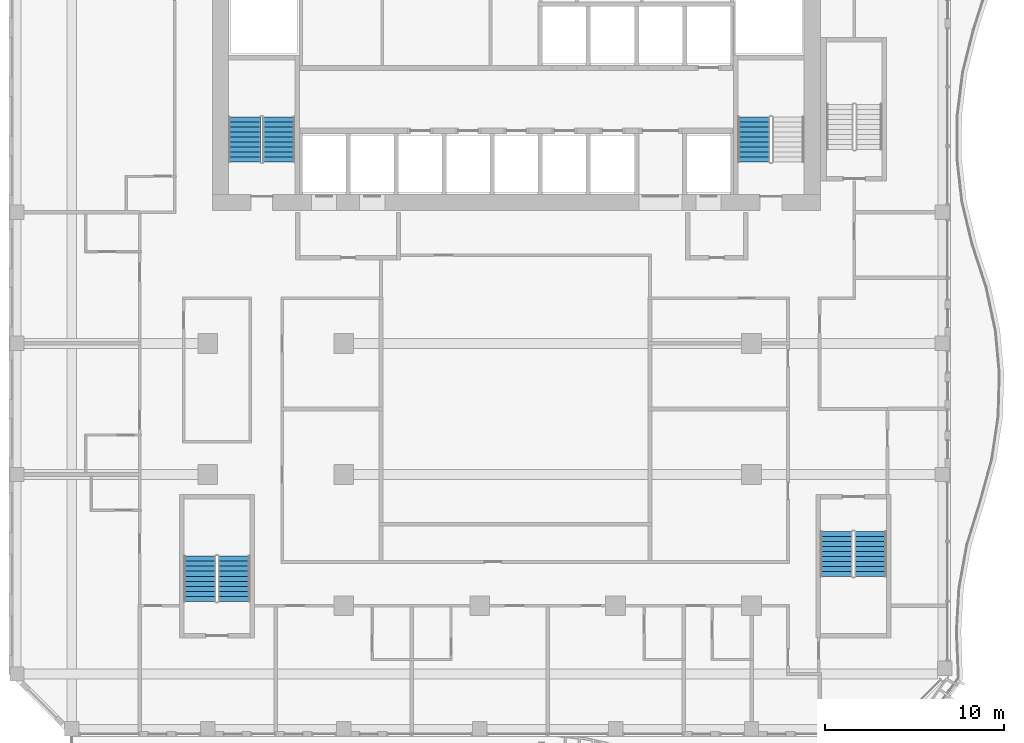
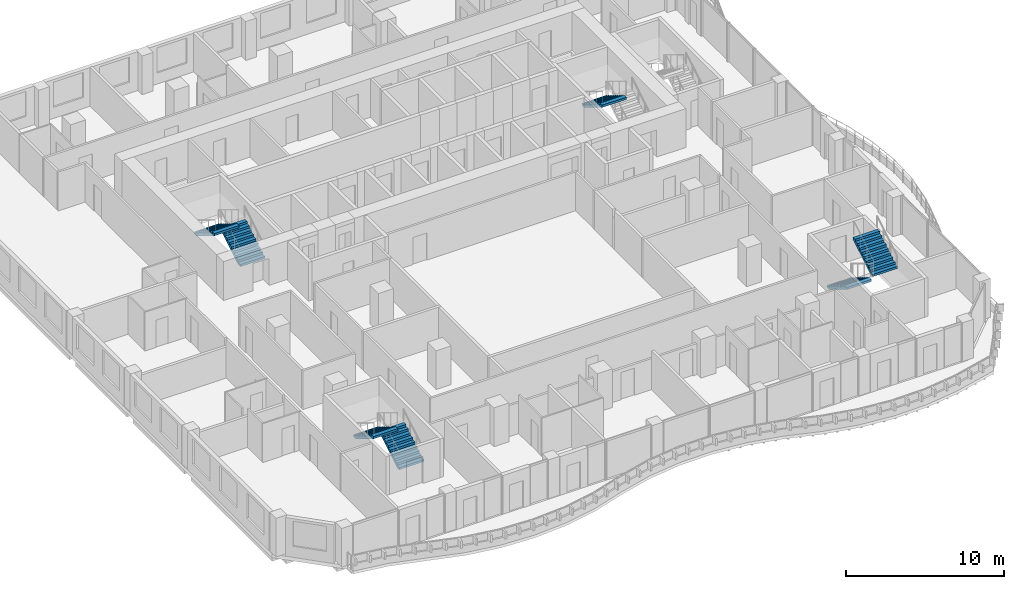
# One storey, part 18 of 23: 7 stair flights, 4 elements without a shape of their own.
"""IFC4 building model written with IfcOpenShell, lengths in metres."""

from ifc_helpers import new_model, si_unit, direction, frame, origin, place, context, subcontext, project, spatial, triangles, source, transform, mapped, material, type_object, element, aggregate, save


model = new_model("IFC4")

# Units and contexts
model_context = context("Model", 3, precision=1e-05, world=origin(), true_north=direction((0.0, 1.0)))
body_context = subcontext(model_context, "Body", "Model", "MODEL_VIEW")
ifc_project = project(units=[si_unit("LENGTHUNIT", "METRE"), si_unit("AREAUNIT", "SQUARE_METRE"), si_unit("VOLUMEUNIT", "CUBIC_METRE"), si_unit("PLANEANGLEUNIT", "RADIAN"), si_unit("MASSUNIT", "GRAM", prefix="KILO")], contexts=[model_context])

# Site, building, storey
site_placement = place(None, origin())
site = spatial("IfcSite", under=ifc_project, at=site_placement, CompositionType="ELEMENT")
building_placement = place(site_placement, origin())
building = spatial("IfcBuilding", under=site, at=building_placement, Name="Kilnfold Tower and Market Hall", CompositionType="ELEMENT")
storey_placement = place(building_placement, frame((0.0, 0.0, 160.89990234375)))
storey = spatial("IfcBuildingStorey", under=building, at=storey_placement, Name="L37", CompositionType="ELEMENT", Elevation=160.89990234375)

# Stair, stair flights
ifc_material_1 = material(Name="Concrete C40/50", Category="concrete")
stair_type = type_object("IfcStairType", Name="CORE STAIR 1800", PredefinedType="HALF_TURN_STAIR", material=ifc_material_1)
stair_1_placement = place(storey_placement, origin())
stair_1 = element("IfcStair", 1, at=stair_1_placement, inside=storey, type_object=stair_type, Name="L37 ST1", PredefinedType="HALF_TURN_STAIR")
ifc_material_2 = material(Name="Concrete C40/50", Category="concrete")
stair_flight_type = type_object("IfcStairFlightType", Name="CORE STAIR FLIGHT 1800", PredefinedType="STRAIGHT", material=ifc_material_2)
shared_shape = source(origin(), body_context, "Body", "Tessellation", [
    triangles([(0.0, 0.89990234375, 0.0), (0.0, 0.78759765625, 0.0), (0.0, 0.675048828125, 0.0), (0.0, 0.5625, 0.0), (0.0, 0.449951171875, 0.0), (0.0, 0.33740234375, 0.0), (0.0, 0.22509765625, 0.0), (0.0, 0.112548828125, 0.0), (0.0, 0.0, 0.0), (0.0, -0.112548828125, 0.0), (0.0, -0.22509765625, 0.0), (0.0, -0.33740234375, 0.0), (0.0, -0.449951171875, 0.0), (0.0, -0.5625, 0.0), (0.0, -0.675048828125, 0.0), (0.0, -0.78759765625, 0.0), (0.0, -0.89990234375, 0.0), (0.0, 0.89990234375, 0.169921875), (0.0, 0.78759765625, 0.169921875), (0.0, 0.675048828125, 0.169921875), (0.0, 0.5625, 0.169921875), (0.0, 0.449951171875, 0.169921875), (0.0, 0.33740234375, 0.169921875), (0.0, 0.22509765625, 0.169921875), (0.0, 0.112548828125, 0.169921875), (0.0, 0.0, 0.169921875), (0.0, -0.112548828125, 0.169921875), (0.0, -0.22509765625, 0.169921875), (0.0, -0.33740234375, 0.169921875), (0.0, -0.449951171875, 0.169921875), (0.0, -0.5625, 0.169921875), (0.0, -0.675048828125, 0.169921875), (0.0, -0.78759765625, 0.169921875), (0.0, -0.89990234375, 0.169921875), (0.280029296875, 0.89990234375, 0.169921875), (0.280029296875, 0.78759765625, 0.169921875), (0.280029296875, 0.675048828125, 0.169921875), (0.280029296875, 0.5625, 0.169921875), (0.280029296875, 0.449951171875, 0.169921875), (0.280029296875, 0.33740234375, 0.169921875), (0.280029296875, 0.22509765625, 0.169921875), (0.280029296875, 0.112548828125, 0.169921875), (0.280029296875, 0.0, 0.169921875), (0.280029296875, -0.112548828125, 0.169921875), (0.280029296875, -0.22509765625, 0.169921875), (0.280029296875, -0.33740234375, 0.169921875), (0.280029296875, -0.449951171875, 0.169921875), (0.280029296875, -0.5625, 0.169921875), (0.280029296875, -0.675048828125, 0.169921875), (0.280029296875, -0.78759765625, 0.169921875), (0.280029296875, -0.89990234375, 0.169921875), (0.280029296875, 0.89990234375, 0.340087890625), (0.280029296875, 0.78759765625, 0.340087890625), (0.280029296875, 0.675048828125, 0.340087890625), (0.280029296875, 0.5625, 0.340087890625), (0.280029296875, 0.449951171875, 0.340087890625), (0.280029296875, 0.33740234375, 0.340087890625), (0.280029296875, 0.22509765625, 0.340087890625), (0.280029296875, 0.112548828125, 0.340087890625), (0.280029296875, 0.0, 0.340087890625), (0.280029296875, -0.112548828125, 0.340087890625), (0.280029296875, -0.22509765625, 0.340087890625), (0.280029296875, -0.33740234375, 0.340087890625), (0.280029296875, -0.449951171875, 0.340087890625), (0.280029296875, -0.5625, 0.340087890625), (0.280029296875, -0.675048828125, 0.340087890625), (0.280029296875, -0.78759765625, 0.340087890625), (0.280029296875, -0.89990234375, 0.340087890625), (0.56005859375, 0.89990234375, 0.340087890625), (0.56005859375, 0.78759765625, 0.340087890625), (0.56005859375, 0.675048828125, 0.340087890625), (0.56005859375, 0.5625, 0.340087890625), (0.56005859375, 0.449951171875, 0.340087890625), (0.56005859375, 0.33740234375, 0.340087890625), (0.56005859375, 0.22509765625, 0.340087890625), (0.56005859375, 0.112548828125, 0.340087890625), (0.56005859375, 0.0, 0.340087890625), (0.56005859375, -0.112548828125, 0.340087890625), (0.56005859375, -0.22509765625, 0.340087890625), (0.56005859375, -0.33740234375, 0.340087890625), (0.56005859375, -0.449951171875, 0.340087890625), (0.56005859375, -0.5625, 0.340087890625), (0.56005859375, -0.675048828125, 0.340087890625), (0.56005859375, -0.78759765625, 0.340087890625), (0.56005859375, -0.89990234375, 0.340087890625), (0.56005859375, 0.89990234375, 0.510009765625), (0.56005859375, 0.78759765625, 0.510009765625), (0.56005859375, 0.675048828125, 0.510009765625), (0.56005859375, 0.5625, 0.510009765625), (0.56005859375, 0.449951171875, 0.510009765625), (0.56005859375, 0.33740234375, 0.510009765625), (0.56005859375, 0.22509765625, 0.510009765625), (0.56005859375, 0.112548828125, 0.510009765625), (0.56005859375, 0.0, 0.510009765625), (0.56005859375, -0.112548828125, 0.510009765625), (0.56005859375, -0.22509765625, 0.510009765625), (0.56005859375, -0.33740234375, 0.510009765625), (0.56005859375, -0.449951171875, 0.510009765625), (0.56005859375, -0.5625, 0.510009765625), (0.56005859375, -0.675048828125, 0.510009765625), (0.56005859375, -0.78759765625, 0.510009765625), (0.56005859375, -0.89990234375, 0.510009765625), (0.840087890625, 0.89990234375, 0.510009765625), (0.840087890625, 0.78759765625, 0.510009765625), (0.840087890625, 0.675048828125, 0.510009765625), (0.840087890625, 0.5625, 0.510009765625), (0.840087890625, 0.449951171875, 0.510009765625), (0.840087890625, 0.33740234375, 0.510009765625), (0.840087890625, 0.22509765625, 0.510009765625), (0.840087890625, 0.112548828125, 0.510009765625), (0.840087890625, 0.0, 0.510009765625), (0.840087890625, -0.112548828125, 0.510009765625), (0.840087890625, -0.22509765625, 0.510009765625), (0.840087890625, -0.33740234375, 0.510009765625), (0.840087890625, -0.449951171875, 0.510009765625), (0.840087890625, -0.5625, 0.510009765625), (0.840087890625, -0.675048828125, 0.510009765625), (0.840087890625, -0.78759765625, 0.510009765625), (0.840087890625, -0.89990234375, 0.510009765625), (0.840087890625, 0.89990234375, 0.679931640625), (0.840087890625, 0.78759765625, 0.679931640625), (0.840087890625, 0.675048828125, 0.679931640625), (0.840087890625, 0.5625, 0.679931640625), (0.840087890625, 0.449951171875, 0.679931640625), (0.840087890625, 0.33740234375, 0.679931640625), (0.840087890625, 0.22509765625, 0.679931640625), (0.840087890625, 0.112548828125, 0.679931640625), (0.840087890625, 0.0, 0.679931640625), (0.840087890625, -0.112548828125, 0.679931640625), (0.840087890625, -0.22509765625, 0.679931640625), (0.840087890625, -0.33740234375, 0.679931640625), (0.840087890625, -0.449951171875, 0.679931640625), (0.840087890625, -0.5625, 0.679931640625), (0.840087890625, -0.675048828125, 0.679931640625), (0.840087890625, -0.78759765625, 0.679931640625), (0.840087890625, -0.89990234375, 0.679931640625), (1.1201171875, 0.89990234375, 0.679931640625), (1.1201171875, 0.78759765625, 0.679931640625), (1.1201171875, 0.675048828125, 0.679931640625), (1.1201171875, 0.5625, 0.679931640625), (1.1201171875, 0.449951171875, 0.679931640625), (1.1201171875, 0.33740234375, 0.679931640625), (1.1201171875, 0.22509765625, 0.679931640625), (1.1201171875, 0.112548828125, 0.679931640625), (1.1201171875, 0.0, 0.679931640625), (1.1201171875, -0.112548828125, 0.679931640625), (1.1201171875, -0.22509765625, 0.679931640625), (1.1201171875, -0.33740234375, 0.679931640625), (1.1201171875, -0.449951171875, 0.679931640625), (1.1201171875, -0.5625, 0.679931640625), (1.1201171875, -0.675048828125, 0.679931640625), (1.1201171875, -0.78759765625, 0.679931640625), (1.1201171875, -0.89990234375, 0.679931640625), (1.1201171875, 0.89990234375, 0.85009765625), (1.1201171875, 0.78759765625, 0.85009765625), (1.1201171875, 0.675048828125, 0.85009765625), (1.1201171875, 0.5625, 0.85009765625), (1.1201171875, 0.449951171875, 0.85009765625), (1.1201171875, 0.33740234375, 0.85009765625), (1.1201171875, 0.22509765625, 0.85009765625), (1.1201171875, 0.112548828125, 0.85009765625), (1.1201171875, 0.0, 0.85009765625), (1.1201171875, -0.112548828125, 0.85009765625), (1.1201171875, -0.22509765625, 0.85009765625), (1.1201171875, -0.33740234375, 0.85009765625), (1.1201171875, -0.449951171875, 0.85009765625), (1.1201171875, -0.5625, 0.85009765625), (1.1201171875, -0.675048828125, 0.85009765625), (1.1201171875, -0.78759765625, 0.85009765625), (1.1201171875, -0.89990234375, 0.85009765625), (1.39990234375, 0.89990234375, 0.85009765625), (1.39990234375, 0.78759765625, 0.85009765625), (1.39990234375, 0.675048828125, 0.85009765625), (1.39990234375, 0.5625, 0.85009765625), (1.39990234375, 0.449951171875, 0.85009765625), (1.39990234375, 0.33740234375, 0.85009765625), (1.39990234375, 0.22509765625, 0.85009765625), (1.39990234375, 0.112548828125, 0.85009765625), (1.39990234375, 0.0, 0.85009765625), (1.39990234375, -0.112548828125, 0.85009765625), (1.39990234375, -0.22509765625, 0.85009765625), (1.39990234375, -0.33740234375, 0.85009765625), (1.39990234375, -0.449951171875, 0.85009765625), (1.39990234375, -0.5625, 0.85009765625), (1.39990234375, -0.675048828125, 0.85009765625), (1.39990234375, -0.78759765625, 0.85009765625), (1.39990234375, -0.89990234375, 0.85009765625), (1.39990234375, 0.89990234375, 1.02001953125), (1.39990234375, 0.78759765625, 1.02001953125), (1.39990234375, 0.675048828125, 1.02001953125), (1.39990234375, 0.5625, 1.02001953125), (1.39990234375, 0.449951171875, 1.02001953125), (1.39990234375, 0.33740234375, 1.02001953125), (1.39990234375, 0.22509765625, 1.02001953125), (1.39990234375, 0.112548828125, 1.02001953125), (1.39990234375, 0.0, 1.02001953125), (1.39990234375, -0.112548828125, 1.02001953125), (1.39990234375, -0.22509765625, 1.02001953125), (1.39990234375, -0.33740234375, 1.02001953125), (1.39990234375, -0.449951171875, 1.02001953125), (1.39990234375, -0.5625, 1.02001953125), (1.39990234375, -0.675048828125, 1.02001953125), (1.39990234375, -0.78759765625, 1.02001953125), (1.39990234375, -0.89990234375, 1.02001953125), (1.679931640625, 0.89990234375, 1.02001953125), (1.679931640625, 0.78759765625, 1.02001953125), (1.679931640625, 0.675048828125, 1.02001953125), (1.679931640625, 0.5625, 1.02001953125), (1.679931640625, 0.449951171875, 1.02001953125), (1.679931640625, 0.33740234375, 1.02001953125), (1.679931640625, 0.22509765625, 1.02001953125), (1.679931640625, 0.112548828125, 1.02001953125), (1.679931640625, 0.0, 1.02001953125), (1.679931640625, -0.112548828125, 1.02001953125), (1.679931640625, -0.22509765625, 1.02001953125), (1.679931640625, -0.33740234375, 1.02001953125), (1.679931640625, -0.449951171875, 1.02001953125), (1.679931640625, -0.5625, 1.02001953125), (1.679931640625, -0.675048828125, 1.02001953125), (1.679931640625, -0.78759765625, 1.02001953125), (1.679931640625, -0.89990234375, 1.02001953125), (1.679931640625, 0.89990234375, 1.18994140625), (1.679931640625, 0.78759765625, 1.18994140625), (1.679931640625, 0.675048828125, 1.18994140625), (1.679931640625, 0.5625, 1.18994140625), (1.679931640625, 0.449951171875, 1.18994140625), (1.679931640625, 0.33740234375, 1.18994140625), (1.679931640625, 0.22509765625, 1.18994140625), (1.679931640625, 0.112548828125, 1.18994140625), (1.679931640625, 0.0, 1.18994140625), (1.679931640625, -0.112548828125, 1.18994140625), (1.679931640625, -0.22509765625, 1.18994140625), (1.679931640625, -0.33740234375, 1.18994140625), (1.679931640625, -0.449951171875, 1.18994140625), (1.679931640625, -0.5625, 1.18994140625), (1.679931640625, -0.675048828125, 1.18994140625), (1.679931640625, -0.78759765625, 1.18994140625), (1.679931640625, -0.89990234375, 1.18994140625), (1.9599609375, 0.89990234375, 1.18994140625), (1.9599609375, 0.78759765625, 1.18994140625), (1.9599609375, 0.675048828125, 1.18994140625), (1.9599609375, 0.5625, 1.18994140625), (1.9599609375, 0.449951171875, 1.18994140625), (1.9599609375, 0.33740234375, 1.18994140625), (1.9599609375, 0.22509765625, 1.18994140625), (1.9599609375, 0.112548828125, 1.18994140625), (1.9599609375, 0.0, 1.18994140625), (1.9599609375, -0.112548828125, 1.18994140625), (1.9599609375, -0.22509765625, 1.18994140625), (1.9599609375, -0.33740234375, 1.18994140625), (1.9599609375, -0.449951171875, 1.18994140625), (1.9599609375, -0.5625, 1.18994140625), (1.9599609375, -0.675048828125, 1.18994140625), (1.9599609375, -0.78759765625, 1.18994140625), (1.9599609375, -0.89990234375, 1.18994140625), (1.9599609375, 0.89990234375, 1.360107421875), (1.9599609375, 0.78759765625, 1.360107421875), (1.9599609375, 0.675048828125, 1.360107421875), (1.9599609375, 0.5625, 1.360107421875), (1.9599609375, 0.449951171875, 1.360107421875), (1.9599609375, 0.33740234375, 1.360107421875), (1.9599609375, 0.22509765625, 1.360107421875), (1.9599609375, 0.112548828125, 1.360107421875), (1.9599609375, 0.0, 1.360107421875), (1.9599609375, -0.112548828125, 1.360107421875), (1.9599609375, -0.22509765625, 1.360107421875), (1.9599609375, -0.33740234375, 1.360107421875), (1.9599609375, -0.449951171875, 1.360107421875), (1.9599609375, -0.5625, 1.360107421875), (1.9599609375, -0.675048828125, 1.360107421875), (1.9599609375, -0.78759765625, 1.360107421875), (1.9599609375, -0.89990234375, 1.360107421875), (2.239990234375, 0.89990234375, 1.360107421875), (2.239990234375, 0.78759765625, 1.360107421875), (2.239990234375, 0.675048828125, 1.360107421875), (2.239990234375, 0.5625, 1.360107421875), (2.239990234375, 0.449951171875, 1.360107421875), (2.239990234375, 0.33740234375, 1.360107421875), (2.239990234375, 0.22509765625, 1.360107421875), (2.239990234375, 0.112548828125, 1.360107421875), (2.239990234375, 0.0, 1.360107421875), (2.239990234375, -0.112548828125, 1.360107421875), (2.239990234375, -0.22509765625, 1.360107421875), (2.239990234375, -0.33740234375, 1.360107421875), (2.239990234375, -0.449951171875, 1.360107421875), (2.239990234375, -0.5625, 1.360107421875), (2.239990234375, -0.675048828125, 1.360107421875), (2.239990234375, -0.78759765625, 1.360107421875), (2.239990234375, -0.89990234375, 1.360107421875), (2.239990234375, 0.89990234375, 1.530029296875), (2.239990234375, 0.78759765625, 1.530029296875), (2.239990234375, 0.675048828125, 1.530029296875), (2.239990234375, 0.5625, 1.530029296875), (2.239990234375, 0.449951171875, 1.530029296875), (2.239990234375, 0.33740234375, 1.530029296875), (2.239990234375, 0.22509765625, 1.530029296875), (2.239990234375, 0.112548828125, 1.530029296875), (2.239990234375, 0.0, 1.530029296875), (2.239990234375, -0.112548828125, 1.530029296875), (2.239990234375, -0.22509765625, 1.530029296875), (2.239990234375, -0.33740234375, 1.530029296875), (2.239990234375, -0.449951171875, 1.530029296875), (2.239990234375, -0.5625, 1.530029296875), (2.239990234375, -0.675048828125, 1.530029296875), (2.239990234375, -0.78759765625, 1.530029296875), (2.239990234375, -0.89990234375, 1.530029296875), (2.52001953125, 0.89990234375, 1.530029296875), (2.52001953125, 0.78759765625, 1.530029296875), (2.52001953125, 0.675048828125, 1.530029296875), (2.52001953125, 0.5625, 1.530029296875), (2.52001953125, 0.449951171875, 1.530029296875), (2.52001953125, 0.33740234375, 1.530029296875), (2.52001953125, 0.22509765625, 1.530029296875), (2.52001953125, 0.112548828125, 1.530029296875), (2.52001953125, 0.0, 1.530029296875), (2.52001953125, -0.112548828125, 1.530029296875), (2.52001953125, -0.22509765625, 1.530029296875), (2.52001953125, -0.33740234375, 1.530029296875), (2.52001953125, -0.449951171875, 1.530029296875), (2.52001953125, -0.5625, 1.530029296875), (2.52001953125, -0.675048828125, 1.530029296875), (2.52001953125, -0.78759765625, 1.530029296875), (2.52001953125, -0.89990234375, 1.530029296875), (2.52001953125, 0.89990234375, 1.354736328125), (2.52001953125, 0.78759765625, 1.354736328125), (2.52001953125, 0.675048828125, 1.354736328125), (2.52001953125, 0.5625, 1.354736328125), (2.52001953125, 0.449951171875, 1.354736328125), (2.52001953125, 0.33740234375, 1.354736328125), (2.52001953125, 0.22509765625, 1.354736328125), (2.52001953125, 0.112548828125, 1.354736328125), (2.52001953125, 0.0, 1.354736328125), (2.52001953125, -0.112548828125, 1.354736328125), (2.52001953125, -0.22509765625, 1.354736328125), (2.52001953125, -0.33740234375, 1.354736328125), (2.52001953125, -0.449951171875, 1.354736328125), (2.52001953125, -0.5625, 1.354736328125), (2.52001953125, -0.675048828125, 1.354736328125), (2.52001953125, -0.78759765625, 1.354736328125), (2.52001953125, -0.89990234375, 1.354736328125), (0.288818359375, 0.89990234375, 0.0), (0.288818359375, 0.78759765625, 0.0), (0.288818359375, 0.675048828125, 0.0), (0.288818359375, 0.5625, 0.0), (0.288818359375, 0.449951171875, 0.0), (0.288818359375, 0.33740234375, 0.0), (0.288818359375, 0.22509765625, 0.0), (0.288818359375, 0.112548828125, 0.0), (0.288818359375, 0.0, 0.0), (0.288818359375, -0.112548828125, 0.0), (0.288818359375, -0.22509765625, 0.0), (0.288818359375, -0.33740234375, 0.0), (0.288818359375, -0.449951171875, 0.0), (0.288818359375, -0.5625, 0.0), (0.288818359375, -0.675048828125, 0.0), (0.288818359375, -0.78759765625, 0.0), (0.288818359375, -0.89990234375, 0.0)], [[1, 324, 341], [17, 357, 340], [324, 290, 307], [340, 323, 306], [324, 273, 290], [340, 306, 289], [324, 256, 273], [340, 289, 272], [324, 239, 256], [340, 272, 255], [239, 205, 222], [255, 238, 221], [324, 205, 239], [340, 255, 221], [205, 171, 188], [221, 204, 187], [324, 171, 205], [340, 221, 187], [171, 137, 154], [187, 170, 153], [324, 137, 171], [340, 187, 153], [137, 103, 120], [153, 136, 119], [324, 103, 137], [340, 153, 119], [103, 69, 86], [119, 102, 85], [324, 69, 103], [340, 119, 85], [69, 35, 52], [85, 68, 51], [324, 35, 69], [340, 85, 51], [1, 35, 324], [17, 340, 51], [35, 1, 18], [51, 34, 17], [1, 19, 18], [1, 2, 19], [2, 20, 19], [2, 3, 20], [3, 21, 20], [3, 4, 21], [4, 22, 21], [4, 5, 22], [5, 23, 22], [5, 6, 23], [6, 24, 23], [6, 7, 24], [7, 25, 24], [7, 8, 25], [8, 26, 25], [8, 9, 26], [9, 27, 26], [9, 10, 27], [10, 28, 27], [10, 11, 28], [11, 29, 28], [11, 12, 29], [12, 30, 29], [12, 13, 30], [13, 31, 30], [13, 14, 31], [14, 32, 31], [14, 15, 32], [15, 33, 32], [15, 16, 33], [16, 34, 33], [16, 17, 34], [18, 36, 35], [18, 19, 36], [19, 37, 36], [19, 20, 37], [20, 38, 37], [20, 21, 38], [21, 39, 38], [21, 22, 39], [22, 40, 39], [22, 23, 40], [23, 41, 40], [23, 24, 41], [24, 42, 41], [24, 25, 42], [25, 43, 42], [25, 26, 43], [26, 44, 43], [26, 27, 44], [27, 45, 44], [27, 28, 45], [28, 46, 45], [28, 29, 46], [29, 47, 46], [29, 30, 47], [30, 48, 47], [30, 31, 48], [31, 49, 48], [31, 32, 49], [32, 50, 49], [32, 33, 50], [33, 51, 50], [33, 34, 51], [35, 53, 52], [35, 36, 53], [36, 54, 53], [36, 37, 54], [37, 55, 54], [37, 38, 55], [38, 56, 55], [38, 39, 56], [39, 57, 56], [39, 40, 57], [40, 58, 57], [40, 41, 58], [41, 59, 58], [41, 42, 59], [42, 60, 59], [42, 43, 60], [43, 61, 60], [43, 44, 61], [44, 62, 61], [44, 45, 62], [45, 63, 62], [45, 46, 63], [46, 64, 63], [46, 47, 64], [47, 65, 64], [47, 48, 65], [48, 66, 65], [48, 49, 66], [49, 67, 66], [49, 50, 67], [50, 68, 67], [50, 51, 68], [52, 70, 69], [52, 53, 70], [53, 71, 70], [53, 54, 71], [54, 72, 71], [54, 55, 72], [55, 73, 72], [55, 56, 73], [56, 74, 73], [56, 57, 74], [57, 75, 74], [57, 58, 75], [58, 76, 75], [58, 59, 76], [59, 77, 76], [59, 60, 77], [60, 78, 77], [60, 61, 78], [61, 79, 78], [61, 62, 79], [62, 80, 79], [62, 63, 80], [63, 81, 80], [63, 64, 81], [64, 82, 81], [64, 65, 82], [65, 83, 82], [65, 66, 83], [66, 84, 83], [66, 67, 84], [67, 85, 84], [67, 68, 85], [69, 87, 86], [69, 70, 87], [70, 88, 87], [70, 71, 88], [71, 89, 88], [71, 72, 89], [72, 90, 89], [72, 73, 90], [73, 91, 90], [73, 74, 91], [74, 92, 91], [74, 75, 92], [75, 93, 92], [75, 76, 93], [76, 94, 93], [76, 77, 94], [77, 95, 94], [77, 78, 95], [78, 96, 95], [78, 79, 96], [79, 97, 96], [79, 80, 97], [80, 98, 97], [80, 81, 98], [81, 99, 98], [81, 82, 99], [82, 100, 99], [82, 83, 100], [83, 101, 100], [83, 84, 101], [84, 102, 101], [84, 85, 102], [86, 104, 103], [86, 87, 104], [87, 105, 104], [87, 88, 105], [88, 106, 105], [88, 89, 106], [89, 107, 106], [89, 90, 107], [90, 108, 107], [90, 91, 108], [91, 109, 108], [91, 92, 109], [92, 110, 109], [92, 93, 110], [93, 111, 110], [93, 94, 111], [94, 112, 111], [94, 95, 112], [95, 113, 112], [95, 96, 113], [96, 114, 113], [96, 97, 114], [97, 115, 114], [97, 98, 115], [98, 116, 115], [98, 99, 116], [99, 117, 116], [99, 100, 117], [100, 118, 117], [100, 101, 118], [101, 119, 118], [101, 102, 119], [103, 121, 120], [103, 104, 121], [104, 122, 121], [104, 105, 122], [105, 123, 122], [105, 106, 123], [106, 124, 123], [106, 107, 124], [107, 125, 124], [107, 108, 125], [108, 126, 125], [108, 109, 126], [109, 127, 126], [109, 110, 127], [110, 128, 127], [110, 111, 128], [111, 129, 128], [111, 112, 129], [112, 130, 129], [112, 113, 130], [113, 131, 130], [113, 114, 131], [114, 132, 131], [114, 115, 132], [115, 133, 132], [115, 116, 133], [116, 134, 133], [116, 117, 134], [117, 135, 134], [117, 118, 135], [118, 136, 135], [118, 119, 136], [120, 138, 137], [120, 121, 138], [121, 139, 138], [121, 122, 139], [122, 140, 139], [122, 123, 140], [123, 141, 140], [123, 124, 141], [124, 142, 141], [124, 125, 142], [125, 143, 142], [125, 126, 143], [126, 144, 143], [126, 127, 144], [127, 145, 144], [127, 128, 145], [128, 146, 145], [128, 129, 146], [129, 147, 146], [129, 130, 147], [130, 148, 147], [130, 131, 148], [131, 149, 148], [131, 132, 149], [132, 150, 149], [132, 133, 150], [133, 151, 150], [133, 134, 151], [134, 152, 151], [134, 135, 152], [135, 153, 152], [135, 136, 153], [137, 155, 154], [137, 138, 155], [138, 156, 155], [138, 139, 156], [139, 157, 156], [139, 140, 157], [140, 158, 157], [140, 141, 158], [141, 159, 158], [141, 142, 159], [142, 160, 159], [142, 143, 160], [143, 161, 160], [143, 144, 161], [144, 162, 161], [144, 145, 162], [145, 163, 162], [145, 146, 163], [146, 164, 163], [146, 147, 164], [147, 165, 164], [147, 148, 165], [148, 166, 165], [148, 149, 166], [149, 167, 166], [149, 150, 167], [150, 168, 167], [150, 151, 168], [151, 169, 168], [151, 152, 169], [152, 170, 169], [152, 153, 170], [154, 172, 171], [154, 155, 172], [155, 173, 172], [155, 156, 173], [156, 174, 173], [156, 157, 174], [157, 175, 174], [157, 158, 175], [158, 176, 175], [158, 159, 176], [159, 177, 176], [159, 160, 177], [160, 178, 177], [160, 161, 178], [161, 179, 178], [161, 162, 179], [162, 180, 179], [162, 163, 180], [163, 181, 180], [163, 164, 181], [164, 182, 181], [164, 165, 182], [165, 183, 182], [165, 166, 183], [166, 184, 183], [166, 167, 184], [167, 185, 184], [167, 168, 185], [168, 186, 185], [168, 169, 186], [169, 187, 186], [169, 170, 187], [171, 189, 188], [171, 172, 189], [172, 190, 189], [172, 173, 190], [173, 191, 190], [173, 174, 191], [174, 192, 191], [174, 175, 192], [175, 193, 192], [175, 176, 193], [176, 194, 193], [176, 177, 194], [177, 195, 194], [177, 178, 195], [178, 196, 195], [178, 179, 196], [179, 197, 196], [179, 180, 197], [180, 198, 197], [180, 181, 198], [181, 199, 198], [181, 182, 199], [182, 200, 199], [182, 183, 200], [183, 201, 200], [183, 184, 201], [184, 202, 201], [184, 185, 202], [185, 203, 202], [185, 186, 203], [186, 204, 203], [186, 187, 204], [188, 206, 205], [188, 189, 206], [189, 207, 206], [189, 190, 207], [190, 208, 207], [190, 191, 208], [191, 209, 208], [191, 192, 209], [192, 210, 209], [192, 193, 210], [193, 211, 210], [193, 194, 211], [194, 212, 211], [194, 195, 212], [195, 213, 212], [195, 196, 213], [196, 214, 213], [196, 197, 214], [197, 215, 214], [197, 198, 215], [198, 216, 215], [198, 199, 216], [199, 217, 216], [199, 200, 217], [200, 218, 217], [200, 201, 218], [201, 219, 218], [201, 202, 219], [202, 220, 219], [202, 203, 220], [203, 221, 220], [203, 204, 221], [205, 223, 222], [205, 206, 223], [206, 224, 223], [206, 207, 224], [207, 225, 224], [207, 208, 225], [208, 226, 225], [208, 209, 226], [209, 227, 226], [209, 210, 227], [210, 228, 227], [210, 211, 228], [211, 229, 228], [211, 212, 229], [212, 230, 229], [212, 213, 230], [213, 231, 230], [213, 214, 231], [214, 232, 231], [214, 215, 232], [215, 233, 232], [215, 216, 233], [216, 234, 233], [216, 217, 234], [217, 235, 234], [217, 218, 235], [218, 236, 235], [218, 219, 236], [219, 237, 236], [219, 220, 237], [220, 238, 237], [220, 221, 238], [222, 240, 239], [222, 223, 240], [223, 241, 240], [223, 224, 241], [224, 242, 241], [224, 225, 242], [225, 243, 242], [225, 226, 243], [226, 244, 243], [226, 227, 244], [227, 245, 244], [227, 228, 245], [228, 246, 245], [228, 229, 246], [229, 247, 246], [229, 230, 247], [230, 248, 247], [230, 231, 248], [231, 249, 248], [231, 232, 249], [232, 250, 249], [232, 233, 250], [233, 251, 250], [233, 234, 251], [234, 252, 251], [234, 235, 252], [235, 253, 252], [235, 236, 253], [236, 254, 253], [236, 237, 254], [237, 255, 254], [237, 238, 255], [239, 257, 256], [239, 240, 257], [240, 258, 257], [240, 241, 258], [241, 259, 258], [241, 242, 259], [242, 260, 259], [242, 243, 260], [243, 261, 260], [243, 244, 261], [244, 262, 261], [244, 245, 262], [245, 263, 262], [245, 246, 263], [246, 264, 263], [246, 247, 264], [247, 265, 264], [247, 248, 265], [248, 266, 265], [248, 249, 266], [249, 267, 266], [249, 250, 267], [250, 268, 267], [250, 251, 268], [251, 269, 268], [251, 252, 269], [252, 270, 269], [252, 253, 270], [253, 271, 270], [253, 254, 271], [254, 272, 271], [254, 255, 272], [256, 274, 273], [256, 257, 274], [257, 275, 274], [257, 258, 275], [258, 276, 275], [258, 259, 276], [259, 277, 276], [259, 260, 277], [260, 278, 277], [260, 261, 278], [261, 279, 278], [261, 262, 279], [262, 280, 279], [262, 263, 280], [263, 281, 280], [263, 264, 281], [264, 282, 281], [264, 265, 282], [265, 283, 282], [265, 266, 283], [266, 284, 283], [266, 267, 284], [267, 285, 284], [267, 268, 285], [268, 286, 285], [268, 269, 286], [269, 287, 286], [269, 270, 287], [270, 288, 287], [270, 271, 288], [271, 289, 288], [271, 272, 289], [273, 291, 290], [273, 274, 291], [274, 292, 291], [274, 275, 292], [275, 293, 292], [275, 276, 293], [276, 294, 293], [276, 277, 294], [277, 295, 294], [277, 278, 295], [278, 296, 295], [278, 279, 296], [279, 297, 296], [279, 280, 297], [280, 298, 297], [280, 281, 298], [281, 299, 298], [281, 282, 299], [282, 300, 299], [282, 283, 300], [283, 301, 300], [283, 284, 301], [284, 302, 301], [284, 285, 302], [285, 303, 302], [285, 286, 303], [286, 304, 303], [286, 287, 304], [287, 305, 304], [287, 288, 305], [288, 306, 305], [288, 289, 306], [290, 308, 307], [290, 291, 308], [291, 309, 308], [291, 292, 309], [292, 310, 309], [292, 293, 310], [293, 311, 310], [293, 294, 311], [294, 312, 311], [294, 295, 312], [295, 313, 312], [295, 296, 313], [296, 314, 313], [296, 297, 314], [297, 315, 314], [297, 298, 315], [298, 316, 315], [298, 299, 316], [299, 317, 316], [299, 300, 317], [300, 318, 317], [300, 301, 318], [301, 319, 318], [301, 302, 319], [302, 320, 319], [302, 303, 320], [303, 321, 320], [303, 304, 321], [304, 322, 321], [304, 305, 322], [305, 323, 322], [305, 306, 323], [307, 325, 324], [307, 308, 325], [308, 326, 325], [308, 309, 326], [309, 327, 326], [309, 310, 327], [310, 328, 327], [310, 311, 328], [311, 329, 328], [311, 312, 329], [312, 330, 329], [312, 313, 330], [313, 331, 330], [313, 314, 331], [314, 332, 331], [314, 315, 332], [315, 333, 332], [315, 316, 333], [316, 334, 333], [316, 317, 334], [317, 335, 334], [317, 318, 335], [318, 336, 335], [318, 319, 336], [319, 337, 336], [319, 320, 337], [320, 338, 337], [320, 321, 338], [321, 339, 338], [321, 322, 339], [322, 340, 339], [322, 323, 340], [324, 342, 341], [324, 325, 342], [325, 343, 342], [325, 326, 343], [326, 344, 343], [326, 327, 344], [327, 345, 344], [327, 328, 345], [328, 346, 345], [328, 329, 346], [329, 347, 346], [329, 330, 347], [330, 348, 347], [330, 331, 348], [331, 349, 348], [331, 332, 349], [332, 350, 349], [332, 333, 350], [333, 351, 350], [333, 334, 351], [334, 352, 351], [334, 335, 352], [335, 353, 352], [335, 336, 353], [336, 354, 353], [336, 337, 354], [337, 355, 354], [337, 338, 355], [338, 356, 355], [338, 339, 356], [339, 357, 356], [339, 340, 357], [341, 2, 1], [341, 342, 2], [342, 3, 2], [342, 343, 3], [343, 4, 3], [343, 344, 4], [344, 5, 4], [344, 345, 5], [345, 6, 5], [345, 346, 6], [346, 7, 6], [346, 347, 7], [347, 8, 7], [347, 348, 8], [348, 9, 8], [348, 349, 9], [349, 10, 9], [349, 350, 10], [350, 11, 10], [350, 351, 11], [351, 12, 11], [351, 352, 12], [352, 13, 12], [352, 353, 13], [353, 14, 13], [353, 354, 14], [354, 15, 14], [354, 355, 15], [355, 16, 15], [355, 356, 16], [356, 17, 16], [356, 357, 17]], closed=True),
])
stair_flight_1_placement = place(storey_placement, frame((-12.199951171875, 10.800048828125, 0.0), z_axis=(0.0, 0.0, 1.0), x_axis=(0.0, 1.0, 0.0)))
stair_flight_1 = element("IfcStairFlight", 2, at=stair_flight_1_placement, type_object=stair_flight_type, Name="ST1 flight 1", NumberOfRisers=10, NumberOfTreads=9, PredefinedType="STRAIGHT", RiserHeight=0.17, TreadLength=0.28, context=body_context, shape_type="MappedRepresentation", body=[
    mapped(shared_shape, transform((0.0, 0.0, 0.0))),
])
stair_flight_2_placement = place(storey_placement, frame((-14.10009765625, 13.320068359375, 1.7001953125), z_axis=(0.0, 0.0, 1.0), x_axis=(0.0, -1.0, 0.0)))
stair_flight_2 = element("IfcStairFlight", 3, at=stair_flight_2_placement, type_object=stair_flight_type, Name="ST1 flight 2", NumberOfRisers=10, NumberOfTreads=9, PredefinedType="STRAIGHT", RiserHeight=0.17, TreadLength=0.28, context=body_context, shape_type="MappedRepresentation", body=[
    mapped(shared_shape, transform((0.0, 0.0, 0.0))),
])
aggregate(stair_1, [stair_flight_1, stair_flight_2])

# Stair, stair flight
stair_2_placement = place(storey_placement, origin())
stair_2 = element("IfcStair", 4, at=stair_2_placement, inside=storey, type_object=stair_type, Name="L37 ST2", PredefinedType="HALF_TURN_STAIR")
stair_flight_3_placement = place(storey_placement, frame((14.300048828125, 13.320068359375, 1.7001953125), z_axis=(0.0, 0.0, 1.0), x_axis=(0.0, -1.0, 0.0)))
stair_flight_3 = element("IfcStairFlight", 5, at=stair_flight_3_placement, type_object=stair_flight_type, Name="ST2 flight 2", NumberOfRisers=10, NumberOfTreads=9, PredefinedType="STRAIGHT", RiserHeight=0.17, TreadLength=0.28, context=body_context, shape_type="MappedRepresentation", body=[
    mapped(shared_shape, transform((0.0, 0.0, 0.0))),
])
aggregate(stair_2, [stair_flight_3])

# Stair, stair flights
stair_3_placement = place(storey_placement, origin())
stair_3 = element("IfcStair", 6, at=stair_3_placement, inside=storey, type_object=stair_type, Name="L37 ST3", PredefinedType="HALF_TURN_STAIR")
stair_flight_4_placement = place(storey_placement, frame((-14.699951171875, -13.699951171875, 0.0), z_axis=(0.0, 0.0, 1.0), x_axis=(0.0, 1.0, 0.0)))
stair_flight_4 = element("IfcStairFlight", 7, at=stair_flight_4_placement, type_object=stair_flight_type, Name="ST3 flight 1", NumberOfRisers=10, NumberOfTreads=9, PredefinedType="STRAIGHT", RiserHeight=0.17, TreadLength=0.28, context=body_context, shape_type="MappedRepresentation", body=[
    mapped(shared_shape, transform((0.0, 0.0, 0.0))),
])
stair_flight_5_placement = place(storey_placement, frame((-16.60009765625, -11.179931640625, 1.7001953125), z_axis=(0.0, 0.0, 1.0), x_axis=(0.0, -1.0, 0.0)))
stair_flight_5 = element("IfcStairFlight", 8, at=stair_flight_5_placement, type_object=stair_flight_type, Name="ST3 flight 2", NumberOfRisers=10, NumberOfTreads=9, PredefinedType="STRAIGHT", RiserHeight=0.17, TreadLength=0.28, context=body_context, shape_type="MappedRepresentation", body=[
    mapped(shared_shape, transform((0.0, 0.0, 0.0))),
])
aggregate(stair_3, [stair_flight_4, stair_flight_5])

stair_4_placement = place(storey_placement, origin())
stair_4 = element("IfcStair", 9, at=stair_4_placement, inside=storey, type_object=stair_type, Name="L37 ST4", PredefinedType="HALF_TURN_STAIR")
stair_flight_6_placement = place(storey_placement, frame((18.89990234375, -9.800048828125, 0.0), z_axis=(0.0, 0.0, 1.0), x_axis=(0.0, -1.0, 0.0)))
stair_flight_6 = element("IfcStairFlight", 10, at=stair_flight_6_placement, type_object=stair_flight_type, Name="ST4 flight 1", NumberOfRisers=10, NumberOfTreads=9, PredefinedType="STRAIGHT", RiserHeight=0.17, TreadLength=0.28, context=body_context, shape_type="MappedRepresentation", body=[
    mapped(shared_shape, transform((0.0, 0.0, 0.0))),
])
stair_flight_7_placement = place(storey_placement, frame((20.800048828125, -12.320068359375, 1.7001953125), z_axis=(0.0, 0.0, 1.0), x_axis=(0.0, 1.0, 0.0)))
stair_flight_7 = element("IfcStairFlight", 11, at=stair_flight_7_placement, type_object=stair_flight_type, Name="ST4 flight 2", NumberOfRisers=10, NumberOfTreads=9, PredefinedType="STRAIGHT", RiserHeight=0.17, TreadLength=0.28, context=body_context, shape_type="MappedRepresentation", body=[
    mapped(shared_shape, transform((0.0, 0.0, 0.0))),
])
aggregate(stair_4, [stair_flight_6, stair_flight_7])

save(model, "model.ifc")
